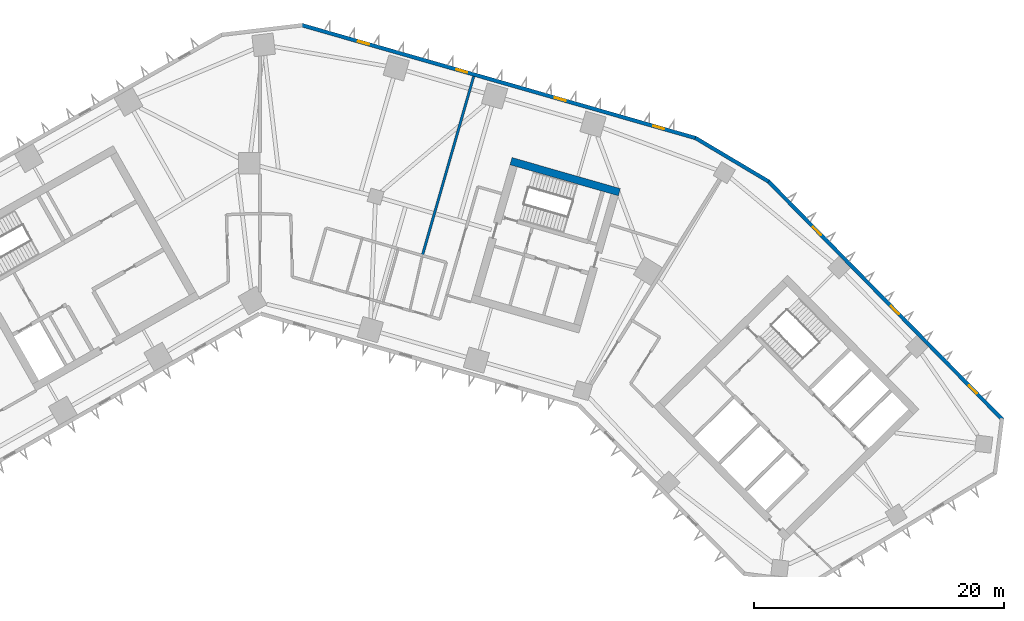
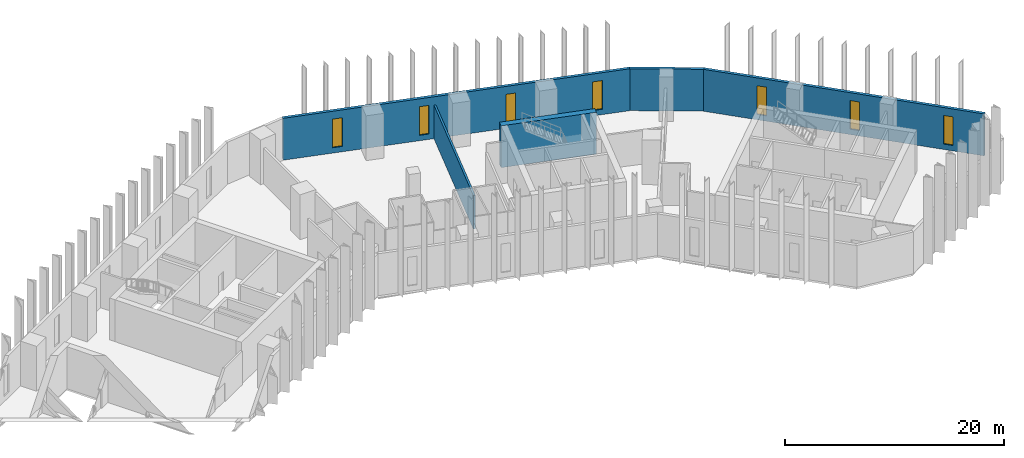
# One storey, part 7 of 11: 7 windows, 5 walls, 7 openings.
"""IFC4 building model written with IfcOpenShell, lengths in metres."""

from ifc_helpers import new_model, si_unit, direction, frame, frame_2d, origin, place, context, subcontext, project, spatial, rectangle, extrude, material, layer, layer_set, type_object, element, fill, save


model = new_model("IFC4")

# Units and contexts
model_context = context("Model", 3, precision=1e-05, world=origin(), true_north=direction((0.0, 1.0)))
body_context = subcontext(model_context, "Body", "Model", "MODEL_VIEW")
ifc_project = project(units=[si_unit("LENGTHUNIT", "METRE"), si_unit("AREAUNIT", "SQUARE_METRE"), si_unit("VOLUMEUNIT", "CUBIC_METRE"), si_unit("PLANEANGLEUNIT", "RADIAN"), si_unit("MASSUNIT", "GRAM", prefix="KILO")], contexts=[model_context])

# Site, building, storey
site_placement = place(None, origin())
site = spatial("IfcSite", under=ifc_project, at=site_placement, CompositionType="ELEMENT")
building_placement = place(site_placement, origin())
building = spatial("IfcBuilding", under=site, at=building_placement, Name="Binnacle Exchange Tower", CompositionType="ELEMENT")
storey_placement = place(building_placement, frame((0.0, 0.0, 36.5)))
storey = spatial("IfcBuildingStorey", under=building, at=storey_placement, Name="L07", CompositionType="ELEMENT", Elevation=36.5)

# Walls
ifc_material_1 = material(Name="Concrete C70/85", Category="concrete")
ifc_layer_1 = layer(ifc_material_1, 0.60009765625)
ifc_layer_set_1 = layer_set([ifc_layer_1], Name="Core wall - outer 600")
wall_type_1 = type_object("IfcWallType", Name="Core wall - outer 600", PredefinedType="SOLIDWALL", material=ifc_layer_set_1)
wall_1_placement = place(storey_placement, frame((20.052734375, 60.1796875, 0.0), z_axis=(0.0, 0.0, 1.0), x_axis=(0.96126248289, -0.275634611374, 0.0)))
element("IfcWall", 1, at=wall_1_placement, inside=storey, type_object=wall_type_1, Name="Core wall CRWD6", PredefinedType="SOLIDWALL", context=body_context, shape_type="SweptSolid", body=[
    extrude(rectangle(XDim=9.0, YDim=0.60009765625, at=frame_2d((4.5, 0.0))), origin(), (0.0, 0.0, 1.0), 4.679931640625),
])
ifc_material_2 = material(Name="Bronze aluminium cladding", Category="aluminium")
ifc_layer_2 = layer(ifc_material_2, 0.300048828125)
ifc_layer_set_2 = layer_set([ifc_layer_2], Name="External wall - spandrel 300")
wall_type_2 = type_object("IfcWallType", Name="External wall - spandrel 300", PredefinedType="STANDARD", material=ifc_layer_set_2)
wall_2_placement = place(storey_placement, frame((34.773193359375, 62.0341796875, 0.0), z_axis=(0.0, 0.0, 1.0), x_axis=(0.859401317772, -0.511301647769, 0.0)))
element("IfcWall", 2, at=wall_2_placement, inside=storey, type_object=wall_type_2, Name="External wall EW-F00 L07", PredefinedType="STANDARD", context=body_context, shape_type="SweptSolid", body=[
    extrude(rectangle(XDim=6.80810546875, YDim=0.300048828125, at=frame_2d((3.404052734375, 0.0))), origin(), (0.0, 0.0, 1.0), 4.679931640625),
])

# Wall, openings, windows
wall_3_placement = place(storey_placement, frame((3.33544921875, 71.043701171875, 0.0), z_axis=(0.0, 0.0, 1.0), x_axis=(0.961260130989, -0.275642813387, 0.0)))
wall_3 = element("IfcWall", 3, at=wall_3_placement, inside=storey, type_object=wall_type_2, Name="External wall EW-F01 L07", PredefinedType="STANDARD", context=body_context, shape_type="SweptSolid", body=[
    extrude(rectangle(XDim=32.7412109375, YDim=0.300048828125, at=frame_2d((16.37060546875, 0.0))), origin(), (0.0, 0.0, 1.0), 4.679931640625),
])
opening_1_placement = place(wall_3_placement, frame((29.20703125, 0.0, 0.60009765625)))
opening_1 = element("IfcOpeningElement", 4, at=opening_1_placement, cuts=wall_3, Name="Opening WS1", PredefinedType="OPENING", context=body_context, shape_type="SweptSolid", body=[
    extrude(rectangle(XDim=0.89990234375, YDim=3.199951171875, at=frame_2d((0.449951171875, 1.60009765625))), frame((0.0, 0.159912109375, 0.0), z_axis=(0.0, -1.0, 0.0), x_axis=(1.0, 0.0, 0.0)), (0.0, 0.0, 1.0), 0.320068359375),
])
opening_2_placement = place(wall_3_placement, frame((21.0341796875, 0.0, 0.60009765625)))
opening_2 = element("IfcOpeningElement", 5, at=opening_2_placement, cuts=wall_3, Name="Opening WS1", PredefinedType="OPENING", context=body_context, shape_type="SweptSolid", body=[
    extrude(rectangle(XDim=0.89990234375, YDim=3.199951171875, at=frame_2d((0.449951171875, 1.60009765625))), frame((0.0, 0.159912109375, 0.0), z_axis=(0.0, -1.0, 0.0), x_axis=(1.0, 0.0, 0.0)), (0.0, 0.0, 1.0), 0.320068359375),
])
opening_3_placement = place(wall_3_placement, frame((12.861083984375, 0.0, 0.60009765625)))
opening_3 = element("IfcOpeningElement", 6, at=opening_3_placement, cuts=wall_3, Name="Opening WS1", PredefinedType="OPENING", context=body_context, shape_type="SweptSolid", body=[
    extrude(rectangle(XDim=0.89990234375, YDim=3.199951171875, at=frame_2d((0.449951171875, 1.60009765625))), frame((0.0, 0.159912109375, 0.0), z_axis=(0.0, -1.0, 0.0), x_axis=(1.0, 0.0, 0.0)), (0.0, 0.0, 1.0), 0.320068359375),
])
opening_4_placement = place(wall_3_placement, frame((4.688232421875, 0.0, 0.60009765625)))
opening_4 = element("IfcOpeningElement", 7, at=opening_4_placement, cuts=wall_3, Name="Opening WS1", PredefinedType="OPENING", context=body_context, shape_type="SweptSolid", body=[
    extrude(rectangle(XDim=0.89990234375, YDim=3.199951171875, at=frame_2d((0.449951171875, 1.60009765625))), frame((0.0, 0.159912109375, 0.0), z_axis=(0.0, -1.0, 0.0), x_axis=(1.0, 0.0, 0.0)), (0.0, 0.0, 1.0), 0.320068359375),
])
ifc_material_3 = material(Name="Bronze anodised aluminium frame", Category="aluminium")
window_type = type_object("IfcWindowType", Name="WS1 WINDOW 900x3200", PartitioningType="SINGLE_PANEL", PredefinedType="WINDOW", material=ifc_material_3)
window_1_placement = place(opening_1_placement, origin())
window_1 = element("IfcWindow", 8, at=window_1_placement, inside=storey, type_object=window_type, Name="Window WS1 L07", OverallHeight=3.199951171875, OverallWidth=0.89990234375, PartitioningType="SINGLE_PANEL", PredefinedType="WINDOW", context=body_context, shape_type="SweptSolid", body=[
    extrude(rectangle(XDim=0.89990234375, YDim=3.199951171875, at=frame_2d((0.449951171875, 1.60009765625))), frame((0.0, 0.030029296875, 0.0), z_axis=(0.0, -1.0, 0.0), x_axis=(1.0, 0.0, 0.0)), (0.0, 0.0, 1.0), 0.06005859375),
])
fill(opening_1, window_1)
window_2_placement = place(opening_2_placement, origin())
window_2 = element("IfcWindow", 9, at=window_2_placement, inside=storey, type_object=window_type, Name="Window WS1 L07", OverallHeight=3.199951171875, OverallWidth=0.89990234375, PartitioningType="SINGLE_PANEL", PredefinedType="WINDOW", context=body_context, shape_type="SweptSolid", body=[
    extrude(rectangle(XDim=0.89990234375, YDim=3.199951171875, at=frame_2d((0.449951171875, 1.60009765625))), frame((0.0, 0.030029296875, 0.0), z_axis=(0.0, -1.0, 0.0), x_axis=(1.0, 0.0, 0.0)), (0.0, 0.0, 1.0), 0.06005859375),
])
fill(opening_2, window_2)
window_3_placement = place(opening_3_placement, origin())
window_3 = element("IfcWindow", 10, at=window_3_placement, inside=storey, type_object=window_type, Name="Window WS1 L07", OverallHeight=3.199951171875, OverallWidth=0.89990234375, PartitioningType="SINGLE_PANEL", PredefinedType="WINDOW", context=body_context, shape_type="SweptSolid", body=[
    extrude(rectangle(XDim=0.89990234375, YDim=3.199951171875, at=frame_2d((0.449951171875, 1.60009765625))), frame((0.0, 0.030029296875, 0.0), z_axis=(0.0, -1.0, 0.0), x_axis=(1.0, 0.0, 0.0)), (0.0, 0.0, 1.0), 0.06005859375),
])
fill(opening_3, window_3)
window_4_placement = place(opening_4_placement, origin())
window_4 = element("IfcWindow", 11, at=window_4_placement, inside=storey, type_object=window_type, Name="Window WS1 L07", OverallHeight=3.199951171875, OverallWidth=0.89990234375, PartitioningType="SINGLE_PANEL", PredefinedType="WINDOW", context=body_context, shape_type="SweptSolid", body=[
    extrude(rectangle(XDim=0.89990234375, YDim=3.199951171875, at=frame_2d((0.449951171875, 1.60009765625))), frame((0.0, 0.030029296875, 0.0), z_axis=(0.0, -1.0, 0.0), x_axis=(1.0, 0.0, 0.0)), (0.0, 0.0, 1.0), 0.06005859375),
])
fill(opening_4, window_4)

wall_4_placement = place(storey_placement, frame((40.59375, 58.576904296875, 0.0), z_axis=(0.0, 0.0, 1.0), x_axis=(0.700909719808, -0.713250001528, 0.0)))
wall_4 = element("IfcWall", 12, at=wall_4_placement, inside=storey, type_object=wall_type_2, Name="External wall EW-F13 L07", PredefinedType="STANDARD", context=body_context, shape_type="SweptSolid", body=[
    extrude(rectangle(XDim=26.70849609375, YDim=0.300048828125, at=frame_2d((13.354248046875, 0.0))), origin(), (0.0, 0.0, 1.0), 4.679931640625),
])
opening_5_placement = place(wall_4_placement, frame((22.8583984375, 0.0, 0.60009765625)))
opening_5 = element("IfcOpeningElement", 13, at=opening_5_placement, cuts=wall_4, Name="Opening WS1", PredefinedType="OPENING", context=body_context, shape_type="SweptSolid", body=[
    extrude(rectangle(XDim=0.89990234375, YDim=3.199951171875, at=frame_2d((0.449951171875, 1.60009765625))), frame((0.0, 0.159912109375, 0.0), z_axis=(0.0, -1.0, 0.0), x_axis=(1.0, 0.0, 0.0)), (0.0, 0.0, 1.0), 0.320068359375),
])
opening_6_placement = place(wall_4_placement, frame((13.986572265625, 0.0, 0.60009765625)))
opening_6 = element("IfcOpeningElement", 14, at=opening_6_placement, cuts=wall_4, Name="Opening WS1", PredefinedType="OPENING", context=body_context, shape_type="SweptSolid", body=[
    extrude(rectangle(XDim=0.89990234375, YDim=3.199951171875, at=frame_2d((0.449951171875, 1.60009765625))), frame((0.0, 0.159912109375, 0.0), z_axis=(0.0, -1.0, 0.0), x_axis=(1.0, 0.0, 0.0)), (0.0, 0.0, 1.0), 0.320068359375),
])
opening_7_placement = place(wall_4_placement, frame((5.114501953125, 0.0, 0.60009765625)))
opening_7 = element("IfcOpeningElement", 15, at=opening_7_placement, cuts=wall_4, Name="Opening WS1", PredefinedType="OPENING", context=body_context, shape_type="SweptSolid", body=[
    extrude(rectangle(XDim=0.89990234375, YDim=3.199951171875, at=frame_2d((0.449951171875, 1.60009765625))), frame((0.0, 0.159912109375, 0.0), z_axis=(0.0, -1.0, 0.0), x_axis=(1.0, 0.0, 0.0)), (0.0, 0.0, 1.0), 0.320068359375),
])
window_5_placement = place(opening_5_placement, origin())
window_5 = element("IfcWindow", 16, at=window_5_placement, inside=storey, type_object=window_type, Name="Window WS1 L07", OverallHeight=3.199951171875, OverallWidth=0.89990234375, PartitioningType="SINGLE_PANEL", PredefinedType="WINDOW", context=body_context, shape_type="SweptSolid", body=[
    extrude(rectangle(XDim=0.89990234375, YDim=3.199951171875, at=frame_2d((0.449951171875, 1.60009765625))), frame((0.0, 0.030029296875, 0.0), z_axis=(0.0, -1.0, 0.0), x_axis=(1.0, 0.0, 0.0)), (0.0, 0.0, 1.0), 0.06005859375),
])
fill(opening_5, window_5)
window_6_placement = place(opening_6_placement, origin())
window_6 = element("IfcWindow", 17, at=window_6_placement, inside=storey, type_object=window_type, Name="Window WS1 L07", OverallHeight=3.199951171875, OverallWidth=0.89990234375, PartitioningType="SINGLE_PANEL", PredefinedType="WINDOW", context=body_context, shape_type="SweptSolid", body=[
    extrude(rectangle(XDim=0.89990234375, YDim=3.199951171875, at=frame_2d((0.449951171875, 1.60009765625))), frame((0.0, 0.030029296875, 0.0), z_axis=(0.0, -1.0, 0.0), x_axis=(1.0, 0.0, 0.0)), (0.0, 0.0, 1.0), 0.06005859375),
])
fill(opening_6, window_6)
window_7_placement = place(opening_7_placement, origin())
window_7 = element("IfcWindow", 18, at=window_7_placement, inside=storey, type_object=window_type, Name="Window WS1 L07", OverallHeight=3.199951171875, OverallWidth=0.89990234375, PartitioningType="SINGLE_PANEL", PredefinedType="WINDOW", context=body_context, shape_type="SweptSolid", body=[
    extrude(rectangle(XDim=0.89990234375, YDim=3.199951171875, at=frame_2d((0.449951171875, 1.60009765625))), frame((0.0, 0.030029296875, 0.0), z_axis=(0.0, -1.0, 0.0), x_axis=(1.0, 0.0, 0.0)), (0.0, 0.0, 1.0), 0.06005859375),
])
fill(opening_7, window_7)

# Wall
ifc_material_4 = material(Name="Masonry block wall", Category="masonry")
ifc_layer_3 = layer(ifc_material_4, 0.199951171875)
ifc_layer_set_3 = layer_set([ifc_layer_3], Name="Fire wall - block 200")
wall_type_3 = type_object("IfcWallType", Name="Fire wall - block 200", PredefinedType="PARTITIONING", material=ifc_layer_set_3)
wall_5_placement = place(storey_placement, frame((12.97412109375, 52.638916015625, 0.0), z_axis=(0.0, 0.0, 1.0), x_axis=(0.275299463768, 0.961358520662, 0.0)))
element("IfcWall", 19, at=wall_5_placement, inside=storey, type_object=wall_type_3, Name="Partition W27", PredefinedType="PARTITIONING", context=body_context, shape_type="SweptSolid", body=[
    extrude(rectangle(XDim=14.88525390625, YDim=0.199951171875, at=frame_2d((7.442626953125, 0.0))), origin(), (0.0, 0.0, 1.0), 3.741943359375),
])

save(model, "model.ifc")
